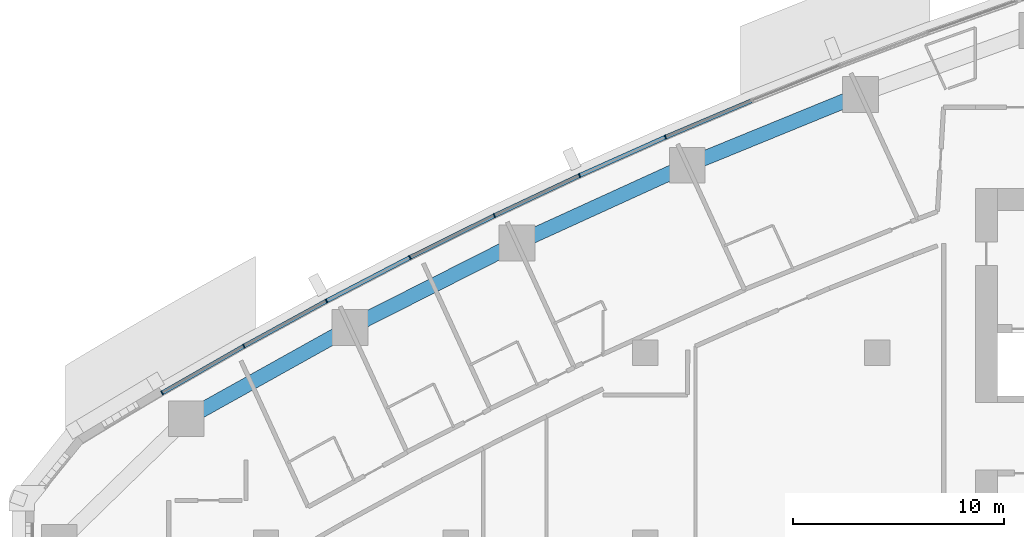
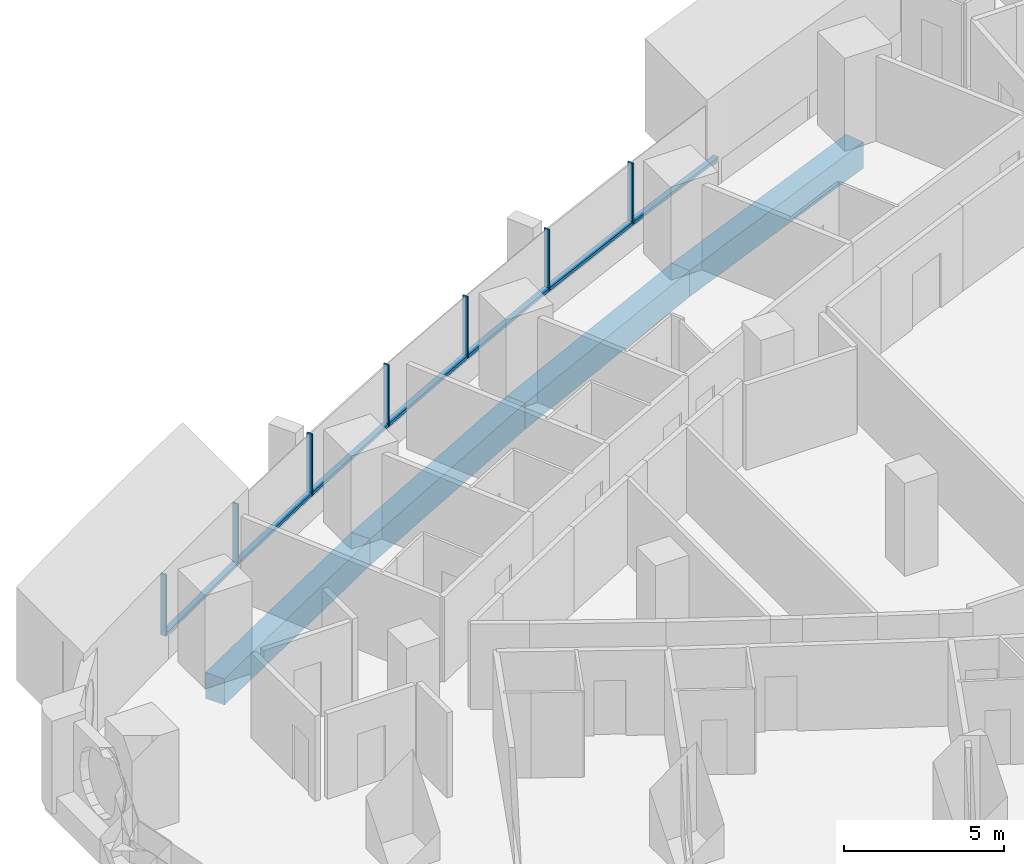
# One storey, part 5 of 17: 14 members, 4 beams, 4 elements without a shape of their own.
"""IFC4 building model written with IfcOpenShell, lengths in metres."""

from ifc_helpers import new_model, si_unit, direction, frame, origin, origin_2d, place, context, subcontext, project, spatial, rectangle, extrude, material, layer, layer_set, material_profile, profile_set, type_object, element, aggregate, save


model = new_model("IFC4")

# Units and contexts
model_context = context("Model", 3, precision=1e-05, world=origin(), true_north=direction((0.0, 1.0)))
body_context = subcontext(model_context, "Body", "Model", "MODEL_VIEW")
ifc_project = project(units=[si_unit("LENGTHUNIT", "METRE"), si_unit("AREAUNIT", "SQUARE_METRE"), si_unit("VOLUMEUNIT", "CUBIC_METRE"), si_unit("PLANEANGLEUNIT", "RADIAN"), si_unit("MASSUNIT", "GRAM", prefix="KILO")], contexts=[model_context])

# Site, building, storey
site_placement = place(None, origin())
site = spatial("IfcSite", under=ifc_project, at=site_placement, CompositionType="ELEMENT")
building_placement = place(site_placement, origin())
building = spatial("IfcBuilding", under=site, at=building_placement, Name="Ostrand Prow Hotel Tower", CompositionType="ELEMENT")
storey_placement = place(building_placement, frame((0.0, 0.0, 113.300048828125)))
storey = spatial("IfcBuildingStorey", under=building, at=storey_placement, Name="L27", CompositionType="ELEMENT", Elevation=113.300048828125)

# Beams
ifc_material_1 = material(Name="Concrete C80/95", Category="concrete")
ifc_material_profile_1 = material_profile(ifc_material_1, rectangle(XDim=0.699951171875, YDim=1.0, at=origin_2d()), Name="RC 700x1000")
ifc_profile_set_1 = profile_set([ifc_material_profile_1], Name="Concrete C80/95")
beam_type = type_object("IfcBeamType", Name="Edge beam 700x1000 C80/95", PredefinedType="SPANDREL", material=ifc_profile_set_1)
beam_1_placement = place(storey_placement, frame((44.210693359375, 21.263671875, -0.800048828125), z_axis=(-0.925612172894, -0.378473387955, 0.0), x_axis=(0.378473387955, -0.925612172894, 0.0)))
element("IfcBeam", 1, at=beam_1_placement, inside=storey, type_object=beam_type, Name="Edge beam N2-N3", PredefinedType="SPANDREL", context=body_context, shape_type="SweptSolid", body=[
    extrude(rectangle(XDim=0.699951171875, YDim=1.0, at=origin_2d()), origin(), (0.0, 0.0, 1.0), 8.88330078125),
])
beam_2_placement = place(storey_placement, frame((35.98828125, 17.901611328125, -0.800048828125), z_axis=(-0.909681006953, -0.415307675813, 0.0), x_axis=(0.415307675813, -0.909681006953, 0.0)))
element("IfcBeam", 2, at=beam_2_placement, inside=storey, type_object=beam_type, Name="Edge beam N3-N4", PredefinedType="SPANDREL", context=body_context, shape_type="SweptSolid", body=[
    extrude(rectangle(XDim=0.699951171875, YDim=1.0, at=origin_2d()), origin(), (0.0, 0.0, 1.0), 8.883544921875),
])
beam_3_placement = place(storey_placement, frame((27.906982421875, 14.212158203125, -0.800048828125), z_axis=(-0.892284288592, -0.451473973039, 0.0), x_axis=(0.451473973039, -0.892284288592, 0.0)))
element("IfcBeam", 3, at=beam_3_placement, inside=storey, type_object=beam_type, Name="Edge beam N4-N5", PredefinedType="SPANDREL", context=body_context, shape_type="SweptSolid", body=[
    extrude(rectangle(XDim=0.699951171875, YDim=1.0, at=origin_2d()), origin(), (0.0, 0.0, 1.0), 8.883056640625),
])
beam_4_placement = place(storey_placement, frame((19.980712890625, 10.20166015625, -0.800048828125), z_axis=(-0.873452439955, -0.486909473245, 0.0), x_axis=(0.486909473245, -0.873452439955, 0.0)))
element("IfcBeam", 4, at=beam_4_placement, inside=storey, type_object=beam_type, Name="Edge beam N5-N6", PredefinedType="SPANDREL", context=body_context, shape_type="SweptSolid", body=[
    extrude(rectangle(XDim=0.699951171875, YDim=1.0, at=origin_2d()), origin(), (0.0, 0.0, 1.0), 8.883544921875),
])

# Curtain wall, member
ifc_material_2 = material(Name="Insulated glass in bronze anodised frame", Category="glass")
ifc_layer = layer(ifc_material_2, 0.199951171875)
ifc_layer_set = layer_set([ifc_layer], Name="Insulated glass in bronze anodised frame")
curtain_wall_type = type_object("IfcCurtainWallType", Name="Strip curtain wall, fritted glass over bronze spandrel", PredefinedType="NOTDEFINED", material=ifc_layer_set)
curtain_wall_1_placement = place(storey_placement, origin())
curtain_wall_1 = element("IfcCurtainWall", 5, at=curtain_wall_1_placement, inside=storey, type_object=curtain_wall_type, Name="CW1 run CWN2", PredefinedType="NOTDEFINED")
ifc_material_3 = material(Name="Bronze anodised aluminium", Category="aluminium")
ifc_material_profile_2 = material_profile(ifc_material_3, rectangle(XDim=0.199951171875, YDim=0.06005859375, at=origin_2d()), Name="Mullion 60x200 bronze anodised aluminium")
ifc_profile_set_2 = profile_set([ifc_material_profile_2], Name="Bronze anodised aluminium")
member_type_1 = type_object("IfcMemberType", Name="Mullion 60x200 bronze anodised aluminium", PredefinedType="MULLION", material=ifc_profile_set_2)
member_1_placement = place(storey_placement, frame((34.95068359375, 19.233154296875, 0.89990234375), z_axis=(0.0, 0.0, 1.0), x_axis=(0.389506566255, -0.921023688536, 0.0)))
member_1 = element("IfcMember", 6, at=member_1_placement, type_object=member_type_1, Name="CW1 mullion 3", PredefinedType="MULLION", context=body_context, shape_type="SweptSolid", body=[
    extrude(rectangle(XDim=0.199951171875, YDim=0.06005859375, at=origin_2d()), origin(), (0.0, 0.0, 1.0), 2.35009765625),
])

# Curtain wall, members
curtain_wall_2_placement = place(storey_placement, origin())
curtain_wall_2 = element("IfcCurtainWall", 7, at=curtain_wall_2_placement, inside=storey, type_object=curtain_wall_type, Name="CW1 run CWN3", PredefinedType="NOTDEFINED")
member_2_placement = place(storey_placement, frame((30.872802734375, 17.41162109375, 0.89990234375), z_axis=(0.0, 0.0, 1.0), x_axis=(0.426079320162, -0.904685808958, 0.0)))
member_2 = element("IfcMember", 8, at=member_2_placement, type_object=member_type_1, Name="CW1 mullion 2", PredefinedType="MULLION", context=body_context, shape_type="SweptSolid", body=[
    extrude(rectangle(XDim=0.199951171875, YDim=0.06005859375, at=origin_2d()), origin(), (0.0, 0.0, 1.0), 2.35009765625),
])
member_3_placement = place(storey_placement, frame((26.83251953125, 15.508544921875, 0.89990234375), z_axis=(0.0, 0.0, 1.0), x_axis=(0.426079320162, -0.904685808958, 0.0)))
member_3 = element("IfcMember", 9, at=member_3_placement, type_object=member_type_1, Name="CW1 mullion 3", PredefinedType="MULLION", context=body_context, shape_type="SweptSolid", body=[
    extrude(rectangle(XDim=0.199951171875, YDim=0.06005859375, at=origin_2d()), origin(), (0.0, 0.0, 1.0), 2.35009765625),
])

curtain_wall_3_placement = place(storey_placement, origin())
curtain_wall_3 = element("IfcCurtainWall", 10, at=curtain_wall_3_placement, inside=storey, type_object=curtain_wall_type, Name="CW1 run CWN4", PredefinedType="NOTDEFINED")
member_4_placement = place(storey_placement, frame((22.831298828125, 13.525146484375, 0.89990234375), z_axis=(0.0, 0.0, 1.0), x_axis=(0.461968432937, -0.886896367661, 0.0)))
member_4 = element("IfcMember", 11, at=member_4_placement, type_object=member_type_1, Name="CW1 mullion 2", PredefinedType="MULLION", context=body_context, shape_type="SweptSolid", body=[
    extrude(rectangle(XDim=0.199951171875, YDim=0.06005859375, at=origin_2d()), origin(), (0.0, 0.0, 1.0), 2.35009765625),
])
member_5_placement = place(storey_placement, frame((18.870361328125, 11.4619140625, 0.89990234375), z_axis=(0.0, 0.0, 1.0), x_axis=(0.461968432937, -0.886896367661, 0.0)))
member_5 = element("IfcMember", 12, at=member_5_placement, type_object=member_type_1, Name="CW1 mullion 3", PredefinedType="MULLION", context=body_context, shape_type="SweptSolid", body=[
    extrude(rectangle(XDim=0.199951171875, YDim=0.06005859375, at=origin_2d()), origin(), (0.0, 0.0, 1.0), 2.35009765625),
])

curtain_wall_4_placement = place(storey_placement, origin())
curtain_wall_4 = element("IfcCurtainWall", 13, at=curtain_wall_4_placement, inside=storey, type_object=curtain_wall_type, Name="CW1 run CWN5", PredefinedType="NOTDEFINED")
member_6_placement = place(storey_placement, frame((14.951416015625, 9.320068359375, 0.89990234375), z_axis=(0.0, 0.0, 1.0), x_axis=(0.497114806368, -0.867684775301, 0.0)))
member_6 = element("IfcMember", 14, at=member_6_placement, type_object=member_type_1, Name="CW1 mullion 2", PredefinedType="MULLION", context=body_context, shape_type="SweptSolid", body=[
    extrude(rectangle(XDim=0.199951171875, YDim=0.06005859375, at=origin_2d()), origin(), (0.0, 0.0, 1.0), 2.35009765625),
])
member_7_placement = place(storey_placement, frame((11.076416015625, 7.099853515625, 0.89990234375), z_axis=(0.0, 0.0, 1.0), x_axis=(0.497114806368, -0.867684775301, 0.0)))
member_7 = element("IfcMember", 15, at=member_7_placement, type_object=member_type_1, Name="CW1 mullion 3", PredefinedType="MULLION", context=body_context, shape_type="SweptSolid", body=[
    extrude(rectangle(XDim=0.199951171875, YDim=0.06005859375, at=origin_2d()), origin(), (0.0, 0.0, 1.0), 2.35009765625),
])

# Member
ifc_material_4 = material(Name="Bronze anodised aluminium", Category="aluminium")
ifc_material_profile_3 = material_profile(ifc_material_4, rectangle(XDim=0.199951171875, YDim=0.1201171875, at=origin_2d()), Name="Transom 120x200 bronze anodised aluminium")
ifc_profile_set_3 = profile_set([ifc_material_profile_3], Name="Bronze anodised aluminium")
member_type_2 = type_object("IfcMemberType", Name="Transom 120x200 bronze anodised aluminium", PredefinedType="USERDEFINED", material=ifc_profile_set_3)
member_8_placement = place(storey_placement, frame((39.0361328125, 20.9609375, 0.9599609375), z_axis=(-0.921006250528, -0.389547797438, 0.0), x_axis=(0.389547797438, -0.921006250528, 0.0)))
member_8 = element("IfcMember", 16, at=member_8_placement, type_object=member_type_2, Name="CW1 transom 2.1", ObjectType="TRANSOM", PredefinedType="USERDEFINED", context=body_context, shape_type="SweptSolid", body=[
    extrude(rectangle(XDim=0.199951171875, YDim=0.1201171875, at=origin_2d()), origin(), (0.0, 0.0, 1.0), 4.406005859375),
])

aggregate(curtain_wall_1, [member_1, member_8])

member_9_placement = place(storey_placement, frame((34.923095703125, 19.220703125, 0.9599609375), z_axis=(-0.913030665163, -0.407890922271, 0.0), x_axis=(0.407890922271, -0.913030665163, 0.0)))
member_9 = element("IfcMember", 17, at=member_9_placement, type_object=member_type_2, Name="CW1 transom 1.1", ObjectType="TRANSOM", PredefinedType="USERDEFINED", context=body_context, shape_type="SweptSolid", body=[
    extrude(rectangle(XDim=0.199951171875, YDim=0.1201171875, at=origin_2d()), origin(), (0.0, 0.0, 1.0), 4.40576171875),
])

member_10_placement = place(storey_placement, frame((30.845703125, 17.398681640625, 0.9599609375), z_axis=(-0.904696854963, -0.42605586561, 0.0), x_axis=(0.42605586561, -0.904696854963, 0.0)))
member_10 = element("IfcMember", 18, at=member_10_placement, type_object=member_type_2, Name="CW1 transom 2.1", ObjectType="TRANSOM", PredefinedType="USERDEFINED", context=body_context, shape_type="SweptSolid", body=[
    extrude(rectangle(XDim=0.199951171875, YDim=0.1201171875, at=origin_2d()), origin(), (0.0, 0.0, 1.0), 4.406005859375),
])

aggregate(curtain_wall_2, [member_2, member_3, member_9, member_10])

member_11_placement = place(storey_placement, frame((26.8056640625, 15.495361328125, 0.9599609375), z_axis=(-0.895962348168, -0.444130015497, 0.0), x_axis=(0.444130015497, -0.895962348168, 0.0)))
member_11 = element("IfcMember", 19, at=member_11_placement, type_object=member_type_2, Name="CW1 transom 1.1", ObjectType="TRANSOM", PredefinedType="USERDEFINED", context=body_context, shape_type="SweptSolid", body=[
    extrude(rectangle(XDim=0.199951171875, YDim=0.1201171875, at=origin_2d()), origin(), (0.0, 0.0, 1.0), 4.406005859375),
])

member_12_placement = place(storey_placement, frame((22.8046875, 13.51123046875, 0.9599609375), z_axis=(-0.886901787206, -0.461958028235, 0.0), x_axis=(0.461958028235, -0.886901787206, 0.0)))
member_12 = element("IfcMember", 20, at=member_12_placement, type_object=member_type_2, Name="CW1 transom 2.1", ObjectType="TRANSOM", PredefinedType="USERDEFINED", context=body_context, shape_type="SweptSolid", body=[
    extrude(rectangle(XDim=0.199951171875, YDim=0.1201171875, at=origin_2d()), origin(), (0.0, 0.0, 1.0), 4.406005859375),
])

aggregate(curtain_wall_3, [member_4, member_5, member_11, member_12])

member_13_placement = place(storey_placement, frame((18.843994140625, 11.44775390625, 0.9599609375), z_axis=(-0.877471714137, -0.479628388328, 0.0), x_axis=(0.479628388328, -0.877471714137, 0.0)))
member_13 = element("IfcMember", 21, at=member_13_placement, type_object=member_type_2, Name="CW1 transom 1.1", ObjectType="TRANSOM", PredefinedType="USERDEFINED", context=body_context, shape_type="SweptSolid", body=[
    extrude(rectangle(XDim=0.199951171875, YDim=0.1201171875, at=origin_2d()), origin(), (0.0, 0.0, 1.0), 4.406005859375),
])

member_14_placement = place(storey_placement, frame((14.925537109375, 9.30517578125, 0.9599609375), z_axis=(-0.86766970623, -0.497141107625, 0.0), x_axis=(0.497141107625, -0.86766970623, 0.0)))
member_14 = element("IfcMember", 22, at=member_14_placement, type_object=member_type_2, Name="CW1 transom 2.1", ObjectType="TRANSOM", PredefinedType="USERDEFINED", context=body_context, shape_type="SweptSolid", body=[
    extrude(rectangle(XDim=0.199951171875, YDim=0.1201171875, at=origin_2d()), origin(), (0.0, 0.0, 1.0), 4.406005859375),
])

aggregate(curtain_wall_4, [member_6, member_7, member_13, member_14])

save(model, "model.ifc")
